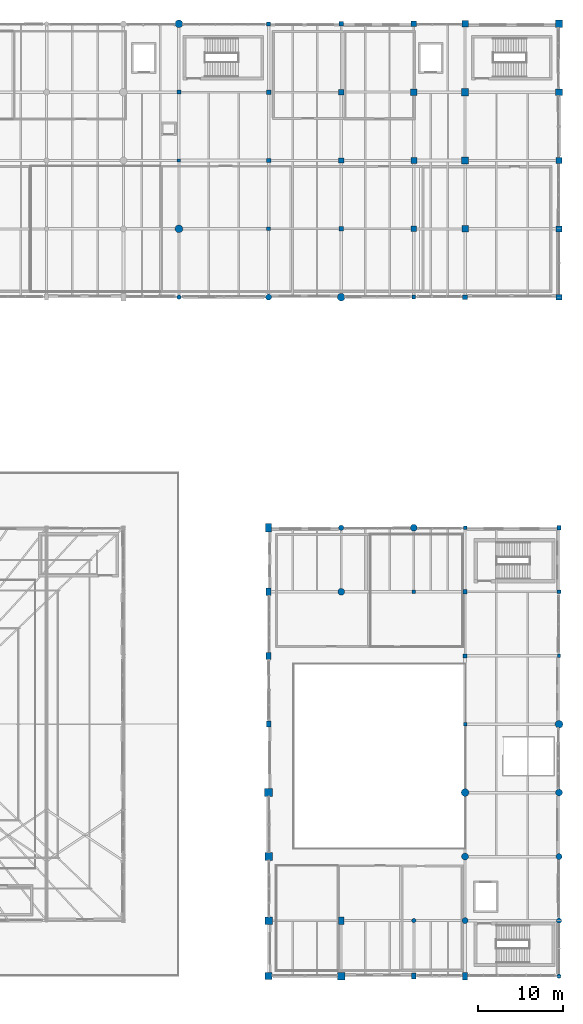
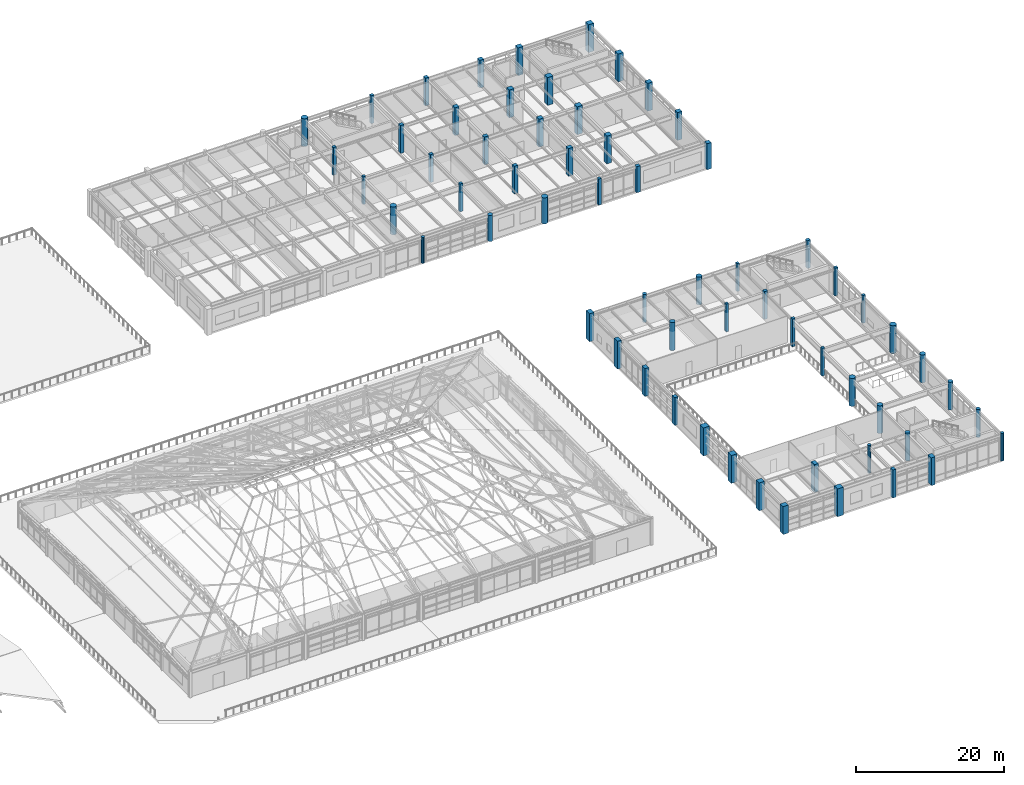
# One storey, part 8 of 168: 62 columns.
"""IFC4 building model written with IfcOpenShell, lengths in metres."""

from ifc_helpers import new_model, si_unit, direction, frame, origin, origin_2d, place, context, subcontext, project, spatial, rectangle, circle, extrude, material, material_profile, profile_set, type_object, element, save


model = new_model("IFC4")

# Units and contexts
model_context = context("Model", 3, precision=1e-05, world=origin(), true_north=direction((0.0, 1.0)))
body_context = subcontext(model_context, "Body", "Model", "MODEL_VIEW")
ifc_project = project(units=[si_unit("LENGTHUNIT", "METRE"), si_unit("AREAUNIT", "SQUARE_METRE"), si_unit("VOLUMEUNIT", "CUBIC_METRE"), si_unit("PLANEANGLEUNIT", "RADIAN"), si_unit("MASSUNIT", "GRAM", prefix="KILO"), si_unit("THERMODYNAMICTEMPERATUREUNIT", "KELVIN"), si_unit("POWERUNIT", "WATT")], contexts=[model_context])

# Site, building, storey
site_placement = place(None, origin())
site = spatial("IfcSite", under=ifc_project, at=site_placement, CompositionType="ELEMENT")
building_placement = place(site_placement, origin())
building = spatial("IfcBuilding", under=site, at=building_placement, Name="Tepalcoro Natatorium and Aquatics Centre", CompositionType="ELEMENT")
storey_placement = place(building_placement, frame((0.0, 0.0, 10.199951171875)))
storey = spatial("IfcBuildingStorey", under=building, at=storey_placement, Name="L02", CompositionType="ELEMENT", Elevation=10.199951171875)

# Columns
ifc_material = material(Name="Concrete C40/50 (fc 40 MPa)", Category="concrete")
ifc_material_profile_1 = material_profile(ifc_material, rectangle(XDim=0.39990234375, YDim=0.39990234375, at=origin_2d()), Name="RC400x400")
ifc_profile_set_1 = profile_set([ifc_material_profile_1], Name="Concrete C40/50 (fc 40 MPa)")
column_type_1 = type_object("IfcColumnType", Name="COL_RC_400x400", PredefinedType="COLUMN", material=ifc_profile_set_1)
for number, where, z_axis, x_axis, name in (
    (1, (159.0, 51.5, 0.0), (0.0, 0.0, 1.0), (1.0, 0.0, 0.0), "V2 L02 Grid Column (159.0, 51.5)"),
    (2, (165.0, 36.0, 0.0), (0.0, 0.0, 1.0), (1.0, 0.0, 0.0), "V2 L02 Grid Column (165.0, 36.0)"),
    (3, (165.0, 59.0, 0.0), (0.0, 0.0, 1.0), (1.0, 0.0, 0.0), "V2 L02 Grid Column (165.0, 59.0)"),
    (4, (176.0, 44.0, 0.0), (0.0, 0.0, 1.0), (1.0, 0.0, 0.0), "V2 L02 Grid Column (176.0, 44.0)"),
    (5, (131.5, 102.0, 0.0), (0.0, 0.0, 1.0), (1.0, 0.0, 0.0), "V5 L02 Grid Column (131.5, 102.0)"),
):
    element("IfcColumn", number, at=place(storey_placement, frame(where, z_axis=z_axis, x_axis=x_axis)), inside=storey, type_object=column_type_1, Name=name, PredefinedType="COLUMN", context=body_context, shape_type="SweptSolid", body=[
        extrude(rectangle(XDim=0.39990234375, YDim=0.39990234375, at=origin_2d()), origin(), (0.0, 0.0, 1.0), 4.60009765625),
    ])
ifc_material_profile_2 = material_profile(ifc_material, rectangle(XDim=0.449951171875, YDim=0.449951171875, at=origin_2d()), Name="RC450x450")
ifc_profile_set_2 = profile_set([ifc_material_profile_2], Name="Concrete C40/50 (fc 40 MPa)")
column_type_2 = type_object("IfcColumnType", Name="COL_RC_450x450", PredefinedType="COLUMN", material=ifc_profile_set_2)
for number, where, z_axis, x_axis, name in (
    (6, (165.0, 44.0, 0.0), (0.0, 0.0, 1.0), (1.0, 0.0, 0.0), "V2 L02 Grid Column (165.0, 44.0)"),
    (7, (176.0, 51.5, 0.0), (0.0, 0.0, 1.0), (1.0, 0.0, 0.0), "V2 L02 Grid Column (176.0, 51.5)"),
    (8, (131.5, 110.0, 0.0), (0.0, 0.0, 1.0), (1.0, 0.0, 0.0), "V5 L02 Grid Column (131.5, 110.0)"),
    (9, (142.0, 94.0, 0.0), (0.0, 0.0, 1.0), (1.0, 0.0, 0.0), "V5 L02 Grid Column (142.0, 94.0)"),
    (10, (142.0, 118.0, 0.0), (0.0, 0.0, 1.0), (1.0, 0.0, 0.0), "V5 L02 Grid Column (142.0, 118.0)"),
):
    element("IfcColumn", number, at=place(storey_placement, frame(where, z_axis=z_axis, x_axis=x_axis)), inside=storey, type_object=column_type_2, Name=name, PredefinedType="COLUMN", context=body_context, shape_type="SweptSolid", body=[
        extrude(rectangle(XDim=0.449951171875, YDim=0.449951171875, at=origin_2d()), origin(), (0.0, 0.0, 1.0), 4.60009765625),
    ])
column_1_placement = place(storey_placement, frame((159.0, 86.0, 0.0), z_axis=(0.0, 0.0, 1.0), x_axis=(1.0, 0.0, 0.0)))
element("IfcColumn", 11, at=column_1_placement, inside=storey, type_object=column_type_2, Name="V5 L02 Grid Column (159.0, 86.0)", PredefinedType="COLUMN", context=body_context, shape_type="SweptSolid", body=[
    extrude(rectangle(XDim=0.449951171875, YDim=0.449951171875, at=origin_2d()), origin(), (0.0, 0.0, 1.0), 4.300048828125),
])
ifc_material_profile_3 = material_profile(ifc_material, rectangle(XDim=0.5, YDim=0.5, at=origin_2d()), Name="RC500x500")
ifc_profile_set_3 = profile_set([ifc_material_profile_3], Name="Concrete C40/50 (fc 40 MPa)")
column_type_3 = type_object("IfcColumnType", Name="COL_RC_500x500", PredefinedType="COLUMN", material=ifc_profile_set_3)
for number, where, z_axis, x_axis, name in (
    (12, (165.0, 51.5, 0.0), (0.0, 0.0, 1.0), (1.0, 0.0, 0.0), "V2 L02 Grid Column (165.0, 51.5)"),
    (13, (176.0, 59.0, 0.0), (0.0, 0.0, 1.0), (1.0, 0.0, 0.0), "V2 L02 Grid Column (176.0, 59.0)"),
    (14, (142.0, 102.0, 0.0), (0.0, 0.0, 1.0), (1.0, 0.0, 0.0), "V5 L02 Grid Column (142.0, 102.0)"),
):
    element("IfcColumn", number, at=place(storey_placement, frame(where, z_axis=z_axis, x_axis=x_axis)), inside=storey, type_object=column_type_3, Name=name, PredefinedType="COLUMN", context=body_context, shape_type="SweptSolid", body=[
        extrude(rectangle(XDim=0.5, YDim=0.5, at=origin_2d()), origin(), (0.0, 0.0, 1.0), 4.60009765625),
    ])
ifc_material_profile_4 = material_profile(ifc_material, rectangle(XDim=0.5, YDim=0.699951171875, at=origin_2d()), Name="RC500x700")
ifc_profile_set_4 = profile_set([ifc_material_profile_4], Name="Concrete C40/50 (fc 40 MPa)")
column_type_4 = type_object("IfcColumnType", Name="COL_RC_500x700", PredefinedType="COLUMN", material=ifc_profile_set_4)
for number, where, z_axis, x_axis, name in (
    (15, (142.0, 36.0, 0.0), (0.0, 0.0, 1.0), (1.0, 0.0, 0.0), "V2 L02 Grid Column (142.0, 36.0)"),
    (16, (159.0, 6.5, 0.0), (0.0, 0.0, 1.0), (1.0, 0.0, 0.0), "V2 L02 Grid Column (159.0, 6.5)"),
):
    element("IfcColumn", number, at=place(storey_placement, frame(where, z_axis=z_axis, x_axis=x_axis)), inside=storey, type_object=column_type_4, Name=name, PredefinedType="COLUMN", context=body_context, shape_type="SweptSolid", body=[
        extrude(rectangle(XDim=0.5, YDim=0.699951171875, at=origin_2d()), origin(), (0.0, 0.0, 1.0), 4.60009765625),
    ])
ifc_material_profile_5 = material_profile(ifc_material, rectangle(XDim=0.550048828125, YDim=0.550048828125, at=origin_2d()), Name="RC550x550")
ifc_profile_set_5 = profile_set([ifc_material_profile_5], Name="Concrete C40/50 (fc 40 MPa)")
column_type_5 = type_object("IfcColumnType", Name="COL_RC_550x550", PredefinedType="COLUMN", material=ifc_profile_set_5)
for number, where, z_axis, x_axis, name in (
    (17, (142.0, 110.0, 0.0), (0.0, 0.0, 1.0), (1.0, 0.0, 0.0), "V5 L02 Grid Column (142.0, 110.0)"),
    (18, (150.5, 94.0, 0.0), (0.0, 0.0, 1.0), (1.0, 0.0, 0.0), "V5 L02 Grid Column (150.5, 94.0)"),
    (19, (150.5, 118.0, 0.0), (0.0, 0.0, 1.0), (1.0, 0.0, 0.0), "V5 L02 Grid Column (150.5, 118.0)"),
):
    element("IfcColumn", number, at=place(storey_placement, frame(where, z_axis=z_axis, x_axis=x_axis)), inside=storey, type_object=column_type_5, Name=name, PredefinedType="COLUMN", context=body_context, shape_type="SweptSolid", body=[
        extrude(rectangle(XDim=0.550048828125, YDim=0.550048828125, at=origin_2d()), origin(), (0.0, 0.0, 1.0), 4.60009765625),
    ])
column_2_placement = place(storey_placement, frame((165.0, 86.0, 0.0), z_axis=(0.0, 0.0, 1.0), x_axis=(1.0, 0.0, 0.0)))
element("IfcColumn", 20, at=column_2_placement, inside=storey, type_object=column_type_5, Name="V5 L02 Grid Column (165.0, 86.0)", PredefinedType="COLUMN", context=body_context, shape_type="SweptSolid", body=[
    extrude(rectangle(XDim=0.550048828125, YDim=0.550048828125, at=origin_2d()), origin(), (0.0, 0.0, 1.0), 4.300048828125),
])
ifc_material_profile_6 = material_profile(ifc_material, rectangle(XDim=0.60009765625, YDim=0.60009765625, at=origin_2d()), Name="RC600x600")
ifc_profile_set_6 = profile_set([ifc_material_profile_6], Name="Concrete C40/50 (fc 40 MPa)")
column_type_6 = type_object("IfcColumnType", Name="COL_RC_600x600", PredefinedType="COLUMN", material=ifc_profile_set_6)
column_3_placement = place(storey_placement, frame((150.5, 102.0, 0.0), z_axis=(0.0, 0.0, 1.0), x_axis=(1.0, 0.0, 0.0)))
element("IfcColumn", 21, at=column_3_placement, inside=storey, type_object=column_type_6, Name="V5 L02 Grid Column (150.5, 102.0)", PredefinedType="COLUMN", context=body_context, shape_type="SweptSolid", body=[
    extrude(rectangle(XDim=0.60009765625, YDim=0.60009765625, at=origin_2d()), origin(), (0.0, 0.0, 1.0), 4.60009765625),
])
ifc_material_profile_7 = material_profile(ifc_material, rectangle(XDim=0.60009765625, YDim=0.800048828125, at=origin_2d()), Name="RC600x800")
ifc_profile_set_7 = profile_set([ifc_material_profile_7], Name="Concrete C40/50 (fc 40 MPa)")
column_type_7 = type_object("IfcColumnType", Name="COL_RC_600x800", PredefinedType="COLUMN", material=ifc_profile_set_7)
column_4_placement = place(storey_placement, frame((142.0, 44.0, 0.0), z_axis=(0.0, 0.0, 1.0), x_axis=(1.0, 0.0, 0.0)))
element("IfcColumn", 22, at=column_4_placement, inside=storey, type_object=column_type_7, Name="V2 L02 Grid Column (142.0, 44.0)", PredefinedType="COLUMN", context=body_context, shape_type="SweptSolid", body=[
    extrude(rectangle(XDim=0.60009765625, YDim=0.800048828125, at=origin_2d()), origin(), (0.0, 0.0, 1.0), 4.60009765625),
])
ifc_material_profile_8 = material_profile(ifc_material, rectangle(XDim=0.60009765625, YDim=0.89990234375, at=origin_2d()), Name="RC600x900")
ifc_profile_set_8 = profile_set([ifc_material_profile_8], Name="Concrete C40/50 (fc 40 MPa)")
column_type_8 = type_object("IfcColumnType", Name="COL_RC_600x900", PredefinedType="COLUMN", material=ifc_profile_set_8)
for number, where, z_axis, x_axis, name in (
    (23, (142.0, 51.5, 0.0), (0.0, 0.0, 1.0), (1.0, 0.0, 0.0), "V2 L02 Grid Column (142.0, 51.5)"),
    (24, (150.5, 13.0, 0.0), (0.0, 0.0, 1.0), (1.0, 0.0, 0.0), "V2 L02 Grid Column (150.5, 13.0)"),
    (25, (165.0, 6.5, 0.0), (0.0, 0.0, 1.0), (1.0, 0.0, 0.0), "V2 L02 Grid Column (165.0, 6.5)"),
):
    element("IfcColumn", number, at=place(storey_placement, frame(where, z_axis=z_axis, x_axis=x_axis)), inside=storey, type_object=column_type_8, Name=name, PredefinedType="COLUMN", context=body_context, shape_type="SweptSolid", body=[
        extrude(rectangle(XDim=0.60009765625, YDim=0.89990234375, at=origin_2d()), origin(), (0.0, 0.0, 1.0), 4.60009765625),
    ])
ifc_material_profile_9 = material_profile(ifc_material, rectangle(XDim=0.64990234375, YDim=0.64990234375, at=origin_2d()), Name="RC650x650")
ifc_profile_set_9 = profile_set([ifc_material_profile_9], Name="Concrete C40/50 (fc 40 MPa)")
column_type_9 = type_object("IfcColumnType", Name="COL_RC_650x650", PredefinedType="COLUMN", material=ifc_profile_set_9)
for number, where, z_axis, x_axis, name in (
    (26, (150.5, 110.0, 0.0), (0.0, 0.0, 1.0), (1.0, 0.0, 0.0), "V5 L02 Grid Column (150.5, 110.0)"),
    (27, (159.0, 94.0, 0.0), (0.0, 0.0, 1.0), (1.0, 0.0, 0.0), "V5 L02 Grid Column (159.0, 94.0)"),
    (28, (159.0, 118.0, 0.0), (0.0, 0.0, 1.0), (1.0, 0.0, 0.0), "V5 L02 Grid Column (159.0, 118.0)"),
):
    element("IfcColumn", number, at=place(storey_placement, frame(where, z_axis=z_axis, x_axis=x_axis)), inside=storey, type_object=column_type_9, Name=name, PredefinedType="COLUMN", context=body_context, shape_type="SweptSolid", body=[
        extrude(rectangle(XDim=0.64990234375, YDim=0.64990234375, at=origin_2d()), origin(), (0.0, 0.0, 1.0), 4.60009765625),
    ])
column_5_placement = place(storey_placement, frame((176.0, 86.0, 0.0), z_axis=(0.0, 0.0, 1.0), x_axis=(1.0, 0.0, 0.0)))
element("IfcColumn", 29, at=column_5_placement, inside=storey, type_object=column_type_9, Name="V5 L02 Grid Column (176.0, 86.0)", PredefinedType="COLUMN", context=body_context, shape_type="SweptSolid", body=[
    extrude(rectangle(XDim=0.64990234375, YDim=0.64990234375, at=origin_2d()), origin(), (0.0, 0.0, 1.0), 4.300048828125),
])
ifc_material_profile_10 = material_profile(ifc_material, rectangle(XDim=0.699951171875, YDim=0.699951171875, at=origin_2d()), Name="RC700x700")
ifc_profile_set_10 = profile_set([ifc_material_profile_10], Name="Concrete C40/50 (fc 40 MPa)")
column_type_10 = type_object("IfcColumnType", Name="COL_RC_700x700", PredefinedType="COLUMN", material=ifc_profile_set_10)
for number, where, z_axis, x_axis, name in (
    (30, (159.0, 102.0, 0.0), (0.0, 0.0, 1.0), (1.0, 0.0, 0.0), "V5 L02 Grid Column (159.0, 102.0)"),
    (31, (176.0, 94.0, 0.0), (0.0, 0.0, 1.0), (1.0, 0.0, 0.0), "V5 L02 Grid Column (176.0, 94.0)"),
):
    element("IfcColumn", number, at=place(storey_placement, frame(where, z_axis=z_axis, x_axis=x_axis)), inside=storey, type_object=column_type_10, Name=name, PredefinedType="COLUMN", context=body_context, shape_type="SweptSolid", body=[
        extrude(rectangle(XDim=0.699951171875, YDim=0.699951171875, at=origin_2d()), origin(), (0.0, 0.0, 1.0), 4.60009765625),
    ])
ifc_material_profile_11 = material_profile(ifc_material, rectangle(XDim=0.699951171875, YDim=0.949951171875, at=origin_2d()), Name="RC700x950")
ifc_profile_set_11 = profile_set([ifc_material_profile_11], Name="Concrete C40/50 (fc 40 MPa)")
column_type_11 = type_object("IfcColumnType", Name="COL_RC_700x950", PredefinedType="COLUMN", material=ifc_profile_set_11)
column_6_placement = place(storey_placement, frame((142.0, 59.0, 0.0), z_axis=(0.0, 0.0, 1.0), x_axis=(1.0, 0.0, 0.0)))
element("IfcColumn", 32, at=column_6_placement, inside=storey, type_object=column_type_11, Name="V2 L02 Grid Column (142.0, 59.0)", PredefinedType="COLUMN", context=body_context, shape_type="SweptSolid", body=[
    extrude(rectangle(XDim=0.699951171875, YDim=0.949951171875, at=origin_2d()), origin(), (0.0, 0.0, 1.0), 4.60009765625),
])
ifc_material_profile_12 = material_profile(ifc_material, rectangle(XDim=0.75, YDim=0.75, at=origin_2d()), Name="RC750x750")
ifc_profile_set_12 = profile_set([ifc_material_profile_12], Name="Concrete C40/50 (fc 40 MPa)")
column_type_12 = type_object("IfcColumnType", Name="COL_RC_750x750", PredefinedType="COLUMN", material=ifc_profile_set_12)
for number, where, z_axis, x_axis, name in (
    (33, (159.0, 110.0, 0.0), (0.0, 0.0, 1.0), (1.0, 0.0, 0.0), "V5 L02 Grid Column (159.0, 110.0)"),
    (34, (165.0, 94.0, 0.0), (0.0, 0.0, 1.0), (1.0, 0.0, 0.0), "V5 L02 Grid Column (165.0, 94.0)"),
    (35, (165.0, 118.0, 0.0), (0.0, 0.0, 1.0), (1.0, 0.0, 0.0), "V5 L02 Grid Column (165.0, 118.0)"),
    (36, (176.0, 102.0, 0.0), (0.0, 0.0, 1.0), (1.0, 0.0, 0.0), "V5 L02 Grid Column (176.0, 102.0)"),
):
    element("IfcColumn", number, at=place(storey_placement, frame(where, z_axis=z_axis, x_axis=x_axis)), inside=storey, type_object=column_type_12, Name=name, PredefinedType="COLUMN", context=body_context, shape_type="SweptSolid", body=[
        extrude(rectangle(XDim=0.75, YDim=0.75, at=origin_2d()), origin(), (0.0, 0.0, 1.0), 4.60009765625),
    ])
ifc_material_profile_13 = material_profile(ifc_material, rectangle(XDim=0.800048828125, YDim=0.800048828125, at=origin_2d()), Name="RC800x800")
ifc_profile_set_13 = profile_set([ifc_material_profile_13], Name="Concrete C40/50 (fc 40 MPa)")
column_type_13 = type_object("IfcColumnType", Name="COL_RC_800x800", PredefinedType="COLUMN", material=ifc_profile_set_13)
for number, where, z_axis, x_axis, name in (
    (37, (142.0, 6.5, 0.0), (0.0, 0.0, 1.0), (1.0, 0.0, 0.0), "V2 L02 Grid Column (142.0, 6.5)"),
    (38, (165.0, 102.0, 0.0), (0.0, 0.0, 1.0), (1.0, 0.0, 0.0), "V5 L02 Grid Column (165.0, 102.0)"),
    (39, (176.0, 110.0, 0.0), (0.0, 0.0, 1.0), (1.0, 0.0, 0.0), "V5 L02 Grid Column (176.0, 110.0)"),
):
    element("IfcColumn", number, at=place(storey_placement, frame(where, z_axis=z_axis, x_axis=x_axis)), inside=storey, type_object=column_type_13, Name=name, PredefinedType="COLUMN", context=body_context, shape_type="SweptSolid", body=[
        extrude(rectangle(XDim=0.800048828125, YDim=0.800048828125, at=origin_2d()), origin(), (0.0, 0.0, 1.0), 4.60009765625),
    ])
ifc_material_profile_14 = material_profile(ifc_material, rectangle(XDim=0.85009765625, YDim=0.85009765625, at=origin_2d()), Name="RC850x850")
ifc_profile_set_14 = profile_set([ifc_material_profile_14], Name="Concrete C40/50 (fc 40 MPa)")
column_type_14 = type_object("IfcColumnType", Name="COL_RC_850x850", PredefinedType="COLUMN", material=ifc_profile_set_14)
for number, where, z_axis, x_axis, name in (
    (40, (142.0, 13.0, 0.0), (0.0, 0.0, 1.0), (1.0, 0.0, 0.0), "V2 L02 Grid Column (142.0, 13.0)"),
    (41, (165.0, 110.0, 0.0), (0.0, 0.0, 1.0), (1.0, 0.0, 0.0), "V5 L02 Grid Column (165.0, 110.0)"),
    (42, (176.0, 118.0, 0.0), (0.0, 0.0, 1.0), (1.0, 0.0, 0.0), "V5 L02 Grid Column (176.0, 118.0)"),
):
    element("IfcColumn", number, at=place(storey_placement, frame(where, z_axis=z_axis, x_axis=x_axis)), inside=storey, type_object=column_type_14, Name=name, PredefinedType="COLUMN", context=body_context, shape_type="SweptSolid", body=[
        extrude(rectangle(XDim=0.85009765625, YDim=0.85009765625, at=origin_2d()), origin(), (0.0, 0.0, 1.0), 4.60009765625),
    ])
ifc_material_profile_15 = material_profile(ifc_material, rectangle(XDim=0.89990234375, YDim=0.89990234375, at=origin_2d()), Name="RC900x900")
ifc_profile_set_15 = profile_set([ifc_material_profile_15], Name="Concrete C40/50 (fc 40 MPa)")
column_type_15 = type_object("IfcColumnType", Name="COL_RC_900x900", PredefinedType="COLUMN", material=ifc_profile_set_15)
for number, where, z_axis, x_axis, name in (
    (43, (142.0, 20.5, 0.0), (0.0, 0.0, 1.0), (1.0, 0.0, 0.0), "V2 L02 Grid Column (142.0, 20.5)"),
    (44, (150.5, 6.5, 0.0), (0.0, 0.0, 1.0), (1.0, 0.0, 0.0), "V2 L02 Grid Column (150.5, 6.5)"),
):
    element("IfcColumn", number, at=place(storey_placement, frame(where, z_axis=z_axis, x_axis=x_axis)), inside=storey, type_object=column_type_15, Name=name, PredefinedType="COLUMN", context=body_context, shape_type="SweptSolid", body=[
        extrude(rectangle(XDim=0.89990234375, YDim=0.89990234375, at=origin_2d()), origin(), (0.0, 0.0, 1.0), 4.60009765625),
    ])
ifc_material_profile_16 = material_profile(ifc_material, rectangle(XDim=0.949951171875, YDim=0.949951171875, at=origin_2d()), Name="RC950x950")
ifc_profile_set_16 = profile_set([ifc_material_profile_16], Name="Concrete C40/50 (fc 40 MPa)")
column_type_16 = type_object("IfcColumnType", Name="COL_RC_950x950", PredefinedType="COLUMN", material=ifc_profile_set_16)
column_7_placement = place(storey_placement, frame((142.0, 28.0, 0.0), z_axis=(0.0, 0.0, 1.0), x_axis=(1.0, 0.0, 0.0)))
element("IfcColumn", 45, at=column_7_placement, inside=storey, type_object=column_type_16, Name="V2 L02 Grid Column (142.0, 28.0)", PredefinedType="COLUMN", context=body_context, shape_type="SweptSolid", body=[
    extrude(rectangle(XDim=0.949951171875, YDim=0.949951171875, at=origin_2d()), origin(), (0.0, 0.0, 1.0), 4.60009765625),
])
ifc_material_profile_17 = material_profile(ifc_material, circle(Radius=0.25, at=origin_2d()), Name="RCD500")
ifc_profile_set_17 = profile_set([ifc_material_profile_17], Name="Concrete C40/50 (fc 40 MPa)")
column_type_17 = type_object("IfcColumnType", Name="COL_RC_D500", PredefinedType="COLUMN", material=ifc_profile_set_17)
for number, where, z_axis, x_axis, name in (
    (46, (159.0, 13.0, 0.0), (0.0, 0.0, 1.0), (1.0, 0.0, 0.0), "V2 L02 Grid Column (159.0, 13.0)"),
    (47, (176.0, 6.5, 0.0), (0.0, 0.0, 1.0), (1.0, 0.0, 0.0), "V2 L02 Grid Column (176.0, 6.5)"),
):
    element("IfcColumn", number, at=place(storey_placement, frame(where, z_axis=z_axis, x_axis=x_axis)), inside=storey, type_object=column_type_17, Name=name, PredefinedType="COLUMN", context=body_context, shape_type="SweptSolid", body=[
        extrude(circle(Radius=0.25, at=origin_2d()), origin(), (0.0, 0.0, 1.0), 4.60009765625),
    ])
column_8_placement = place(storey_placement, frame((131.5, 86.0, 0.0), z_axis=(0.0, 0.0, 1.0), x_axis=(1.0, 0.0, 0.0)))
element("IfcColumn", 48, at=column_8_placement, inside=storey, type_object=column_type_17, Name="V5 L02 Grid Column (131.5, 86.0)", PredefinedType="COLUMN", context=body_context, shape_type="SweptSolid", body=[
    extrude(circle(Radius=0.25, at=origin_2d()), origin(), (0.0, 0.0, 1.0), 4.300048828125),
])
ifc_material_profile_18 = material_profile(ifc_material, circle(Radius=0.300048828125, at=origin_2d()), Name="RCD600")
ifc_profile_set_18 = profile_set([ifc_material_profile_18], Name="Concrete C40/50 (fc 40 MPa)")
column_type_18 = type_object("IfcColumnType", Name="COL_RC_D600", PredefinedType="COLUMN", material=ifc_profile_set_18)
for number, where, z_axis, x_axis, name in (
    (49, (150.5, 59.0, 0.0), (0.0, 0.0, 1.0), (1.0, 0.0, 0.0), "V2 L02 Grid Column (150.5, 59.0)"),
    (50, (176.0, 13.0, 0.0), (0.0, 0.0, 1.0), (1.0, 0.0, 0.0), "V2 L02 Grid Column (176.0, 13.0)"),
):
    element("IfcColumn", number, at=place(storey_placement, frame(where, z_axis=z_axis, x_axis=x_axis)), inside=storey, type_object=column_type_18, Name=name, PredefinedType="COLUMN", context=body_context, shape_type="SweptSolid", body=[
        extrude(circle(Radius=0.300048828125, at=origin_2d()), origin(), (0.0, 0.0, 1.0), 4.60009765625),
    ])
ifc_material_profile_19 = material_profile(ifc_material, circle(Radius=0.35009765625, at=origin_2d()), Name="RCD700")
ifc_profile_set_19 = profile_set([ifc_material_profile_19], Name="Concrete C40/50 (fc 40 MPa)")
column_type_19 = type_object("IfcColumnType", Name="COL_RC_D700", PredefinedType="COLUMN", material=ifc_profile_set_19)
for number, where, z_axis, x_axis, name in (
    (51, (165.0, 13.0, 0.0), (0.0, 0.0, 1.0), (1.0, 0.0, 0.0), "V2 L02 Grid Column (165.0, 13.0)"),
    (52, (176.0, 20.5, 0.0), (0.0, 0.0, 1.0), (1.0, 0.0, 0.0), "V2 L02 Grid Column (176.0, 20.5)"),
):
    element("IfcColumn", number, at=place(storey_placement, frame(where, z_axis=z_axis, x_axis=x_axis)), inside=storey, type_object=column_type_19, Name=name, PredefinedType="COLUMN", context=body_context, shape_type="SweptSolid", body=[
        extrude(circle(Radius=0.35009765625, at=origin_2d()), origin(), (0.0, 0.0, 1.0), 4.60009765625),
    ])
column_9_placement = place(storey_placement, frame((142.0, 86.0, 0.0), z_axis=(0.0, 0.0, 1.0), x_axis=(1.0, 0.0, 0.0)))
element("IfcColumn", 53, at=column_9_placement, inside=storey, type_object=column_type_19, Name="V5 L02 Grid Column (142.0, 86.0)", PredefinedType="COLUMN", context=body_context, shape_type="SweptSolid", body=[
    extrude(circle(Radius=0.35009765625, at=origin_2d()), origin(), (0.0, 0.0, 1.0), 4.300048828125),
])
ifc_material_profile_20 = material_profile(ifc_material, circle(Radius=0.39990234375, at=origin_2d()), Name="RCD800")
ifc_profile_set_20 = profile_set([ifc_material_profile_20], Name="Concrete C40/50 (fc 40 MPa)")
column_type_20 = type_object("IfcColumnType", Name="COL_RC_D800", PredefinedType="COLUMN", material=ifc_profile_set_20)
for number, where, z_axis, x_axis, name in (
    (54, (150.5, 51.5, 0.0), (0.0, 0.0, 1.0), (1.0, 0.0, 0.0), "V2 L02 Grid Column (150.5, 51.5)"),
    (55, (159.0, 59.0, 0.0), (0.0, 0.0, 1.0), (1.0, 0.0, 0.0), "V2 L02 Grid Column (159.0, 59.0)"),
    (56, (165.0, 20.5, 0.0), (0.0, 0.0, 1.0), (1.0, 0.0, 0.0), "V2 L02 Grid Column (165.0, 20.5)"),
    (57, (176.0, 28.0, 0.0), (0.0, 0.0, 1.0), (1.0, 0.0, 0.0), "V2 L02 Grid Column (176.0, 28.0)"),
):
    element("IfcColumn", number, at=place(storey_placement, frame(where, z_axis=z_axis, x_axis=x_axis)), inside=storey, type_object=column_type_20, Name=name, PredefinedType="COLUMN", context=body_context, shape_type="SweptSolid", body=[
        extrude(circle(Radius=0.39990234375, at=origin_2d()), origin(), (0.0, 0.0, 1.0), 4.60009765625),
    ])
ifc_material_profile_21 = material_profile(ifc_material, circle(Radius=0.449951171875, at=origin_2d()), Name="RCD900")
ifc_profile_set_21 = profile_set([ifc_material_profile_21], Name="Concrete C40/50 (fc 40 MPa)")
column_type_21 = type_object("IfcColumnType", Name="COL_RC_D900", PredefinedType="COLUMN", material=ifc_profile_set_21)
for number, where, z_axis, x_axis, name in (
    (58, (165.0, 28.0, 0.0), (0.0, 0.0, 1.0), (1.0, 0.0, 0.0), "V2 L02 Grid Column (165.0, 28.0)"),
    (59, (176.0, 36.0, 0.0), (0.0, 0.0, 1.0), (1.0, 0.0, 0.0), "V2 L02 Grid Column (176.0, 36.0)"),
    (60, (131.5, 94.0, 0.0), (0.0, 0.0, 1.0), (1.0, 0.0, 0.0), "V5 L02 Grid Column (131.5, 94.0)"),
    (61, (131.5, 118.0, 0.0), (0.0, 0.0, 1.0), (1.0, 0.0, 0.0), "V5 L02 Grid Column (131.5, 118.0)"),
):
    element("IfcColumn", number, at=place(storey_placement, frame(where, z_axis=z_axis, x_axis=x_axis)), inside=storey, type_object=column_type_21, Name=name, PredefinedType="COLUMN", context=body_context, shape_type="SweptSolid", body=[
        extrude(circle(Radius=0.449951171875, at=origin_2d()), origin(), (0.0, 0.0, 1.0), 4.60009765625),
    ])
column_10_placement = place(storey_placement, frame((150.5, 86.0, 0.0), z_axis=(0.0, 0.0, 1.0), x_axis=(1.0, 0.0, 0.0)))
element("IfcColumn", 62, at=column_10_placement, inside=storey, type_object=column_type_21, Name="V5 L02 Grid Column (150.5, 86.0)", PredefinedType="COLUMN", context=body_context, shape_type="SweptSolid", body=[
    extrude(circle(Radius=0.449951171875, at=origin_2d()), origin(), (0.0, 0.0, 1.0), 4.300048828125),
])

save(model, "model.ifc")
